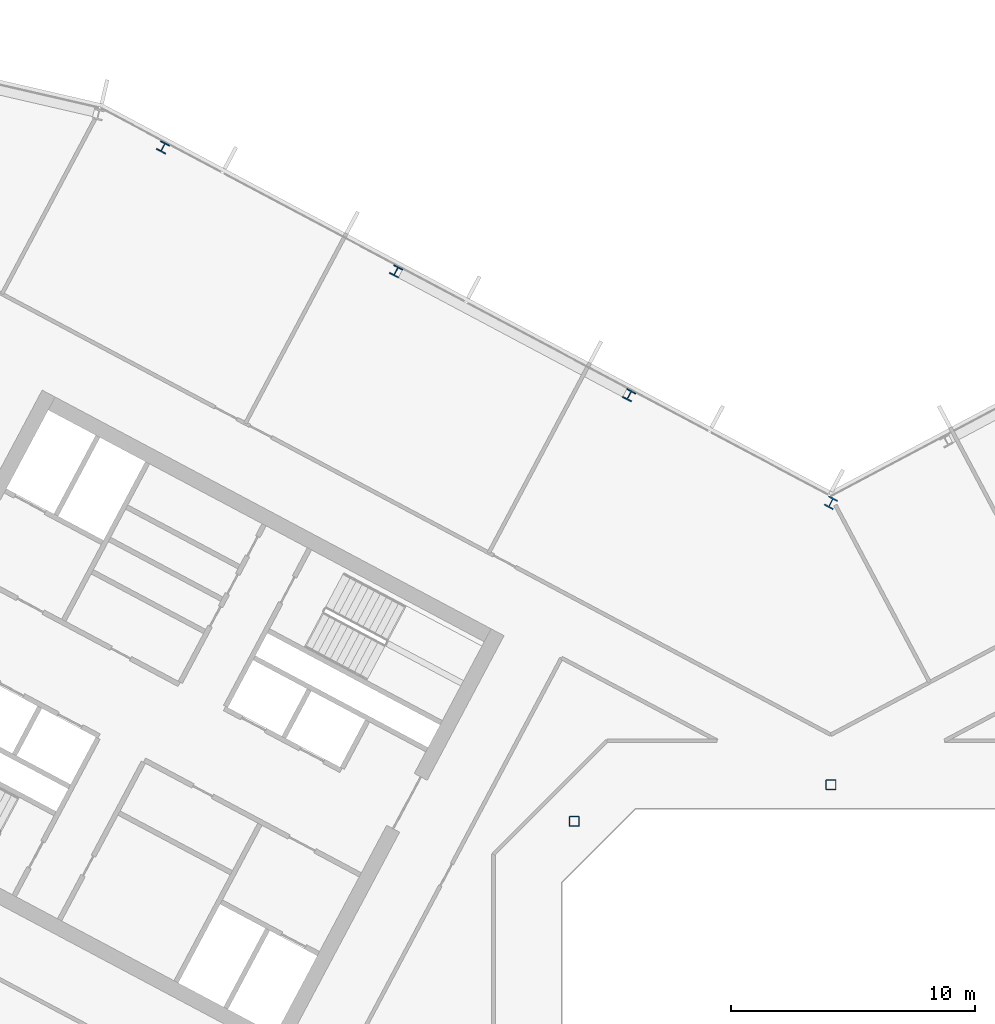
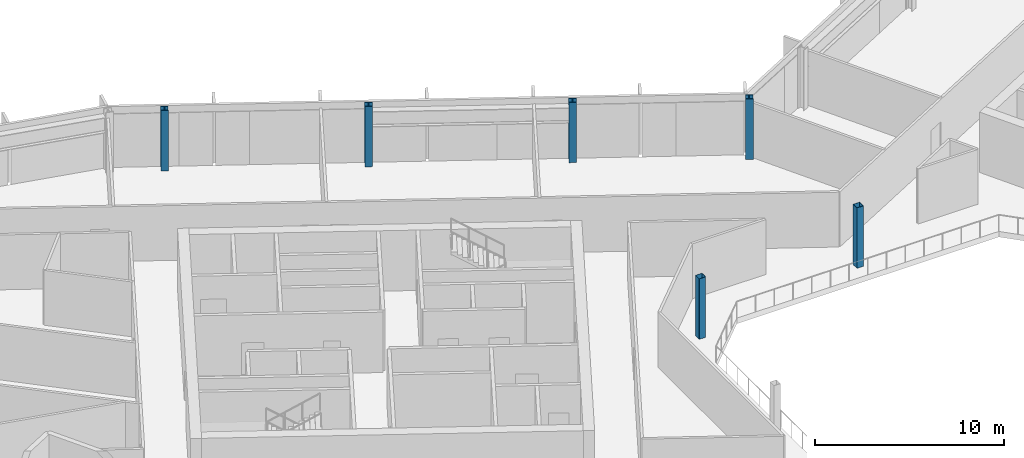
# One storey, part 4 of 27: 6 columns.
"""IFC4 building model written with IfcOpenShell, lengths in metres."""

from ifc_helpers import new_model, si_unit, direction, frame, origin, origin_2d, place, context, subcontext, project, spatial, hollow_rectangle, i_section, extrude, material, material_profile, profile_set, type_object, element, save


model = new_model("IFC4")

# Units and contexts
model_context = context("Model", 3, precision=1e-05, world=origin(), true_north=direction((0.0, 1.0)))
body_context = subcontext(model_context, "Body", "Model", "MODEL_VIEW")
ifc_project = project(units=[si_unit("LENGTHUNIT", "METRE"), si_unit("AREAUNIT", "SQUARE_METRE"), si_unit("VOLUMEUNIT", "CUBIC_METRE"), si_unit("PLANEANGLEUNIT", "RADIAN"), si_unit("MASSUNIT", "GRAM", prefix="KILO")], contexts=[model_context])

# Site, building, storey
site_placement = place(None, origin())
site = spatial("IfcSite", under=ifc_project, at=site_placement, CompositionType="ELEMENT")
building_placement = place(site_placement, origin())
building = spatial("IfcBuilding", under=site, at=building_placement, Name="Cormorant Relay Tower", CompositionType="ELEMENT")
storey_placement = place(building_placement, frame((0.0, 0.0, 201.300048828125)))
storey = spatial("IfcBuildingStorey", under=building, at=storey_placement, Name="L43", CompositionType="ELEMENT", Elevation=201.300048828125)

# Columns
ifc_material_1 = material(Name="Steel ASTM A500 Grade C (Fy 345 MPa)", Category="steel")
ifc_material_profile_1 = material_profile(ifc_material_1, hollow_rectangle(XDim=0.406494140625, YDim=0.406494140625, WallThickness=0.0146484375, InnerFilletRadius=0.00732421875, OuterFilletRadius=0.022216796875, at=origin_2d()), Name="HSS406x406x15")
ifc_profile_set_1 = profile_set([ifc_material_profile_1], Name="Steel ASTM A500 Grade C (Fy 345 MPa)")
column_type_1 = type_object("IfcColumnType", Name="Column HSS406x406x15", PredefinedType="COLUMN", material=ifc_profile_set_1)
for number, where, z_axis, x_axis, name in (
    (1, (-10.5, 10.5, 0.0), (0.0, 0.0, 1.0), (1.0, 0.0, 0.0), "Column L43-023"),
    (2, (0.0, 12.0, 0.0), (0.0, 0.0, 1.0), (1.0, 0.0, 0.0), "Column L43-025"),
):
    element("IfcColumn", number, at=place(storey_placement, frame(where, z_axis=z_axis, x_axis=x_axis)), inside=storey, type_object=column_type_1, Name=name, PredefinedType="COLUMN", context=body_context, shape_type="SweptSolid", body=[
        extrude(hollow_rectangle(XDim=0.406494140625, YDim=0.406494140625, WallThickness=0.0146484375, InnerFilletRadius=0.00732421875, OuterFilletRadius=0.022216796875, at=origin_2d()), origin(), (0.0, 0.0, 1.0), 3.89990234375),
    ])
ifc_material_2 = material(Name="Steel ASTM A992 (Fy 345 MPa)", Category="steel")
ifc_material_profile_2 = material_profile(ifc_material_2, i_section(OverallWidth=0.40380859375, OverallDepth=0.406494140625, WebThickness=0.027099609375, FlangeThickness=0.043701171875, FilletRadius=0.01513671875, at=origin_2d()), Name="W360x347")
ifc_profile_set_2 = profile_set([ifc_material_profile_2], Name="Steel ASTM A992 (Fy 345 MPa)")
column_type_2 = type_object("IfcColumnType", Name="Column W360x347", PredefinedType="COLUMN", material=ifc_profile_set_2)
for number, where, z_axis, x_axis, name in (
    (3, (-8.251953125, 27.93408203125, 0.0), (0.0, 0.0, 1.0), (-0.882947592859, 0.469471562786, 0.0), "Column L43-033"),
    (4, (-17.7880859375, 33.00390625, 0.0), (0.0, 0.0, 1.0), (-0.882947592859, 0.469471562786, 0.0), "Column L43-037"),
    (5, (-27.322998046875, 38.073974609375, 0.0), (0.0, 0.0, 1.0), (-0.882947592859, 0.469471562786, 0.0), "Column L43-040"),
):
    element("IfcColumn", number, at=place(storey_placement, frame(where, z_axis=z_axis, x_axis=x_axis)), inside=storey, type_object=column_type_2, Name=name, PredefinedType="COLUMN", context=body_context, shape_type="SweptSolid", body=[
        extrude(i_section(OverallWidth=0.40380859375, OverallDepth=0.406494140625, WebThickness=0.027099609375, FlangeThickness=0.043701171875, FilletRadius=0.01513671875, at=origin_2d()), origin(), (0.0, 0.0, 1.0), 3.89990234375),
    ])
ifc_material_3 = material(Name="Steel ASTM A992 (Fy 345 MPa)", Category="steel")
ifc_material_profile_3 = material_profile(ifc_material_3, i_section(OverallWidth=0.41162109375, OverallDepth=0.434326171875, WebThickness=0.035888671875, FlangeThickness=0.057373046875, FilletRadius=0.01513671875, at=origin_2d()), Name="W360x463")
ifc_profile_set_3 = profile_set([ifc_material_profile_3], Name="Steel ASTM A992 (Fy 345 MPa)")
column_type_3 = type_object("IfcColumnType", Name="Column W360x463", PredefinedType="COLUMN", material=ifc_profile_set_3)
column_placement = place(storey_placement, frame((0.0, 23.533935546875, 0.0), z_axis=(0.0, 0.0, 1.0), x_axis=(-0.882947592859, 0.469471562786, 0.0)))
element("IfcColumn", 6, at=column_placement, inside=storey, type_object=column_type_3, Name="Column L43-030", PredefinedType="COLUMN", context=body_context, shape_type="SweptSolid", body=[
    extrude(i_section(OverallWidth=0.41162109375, OverallDepth=0.434326171875, WebThickness=0.035888671875, FlangeThickness=0.057373046875, FilletRadius=0.01513671875, at=origin_2d()), origin(), (0.0, 0.0, 1.0), 3.89990234375),
])

save(model, "model.ifc")
